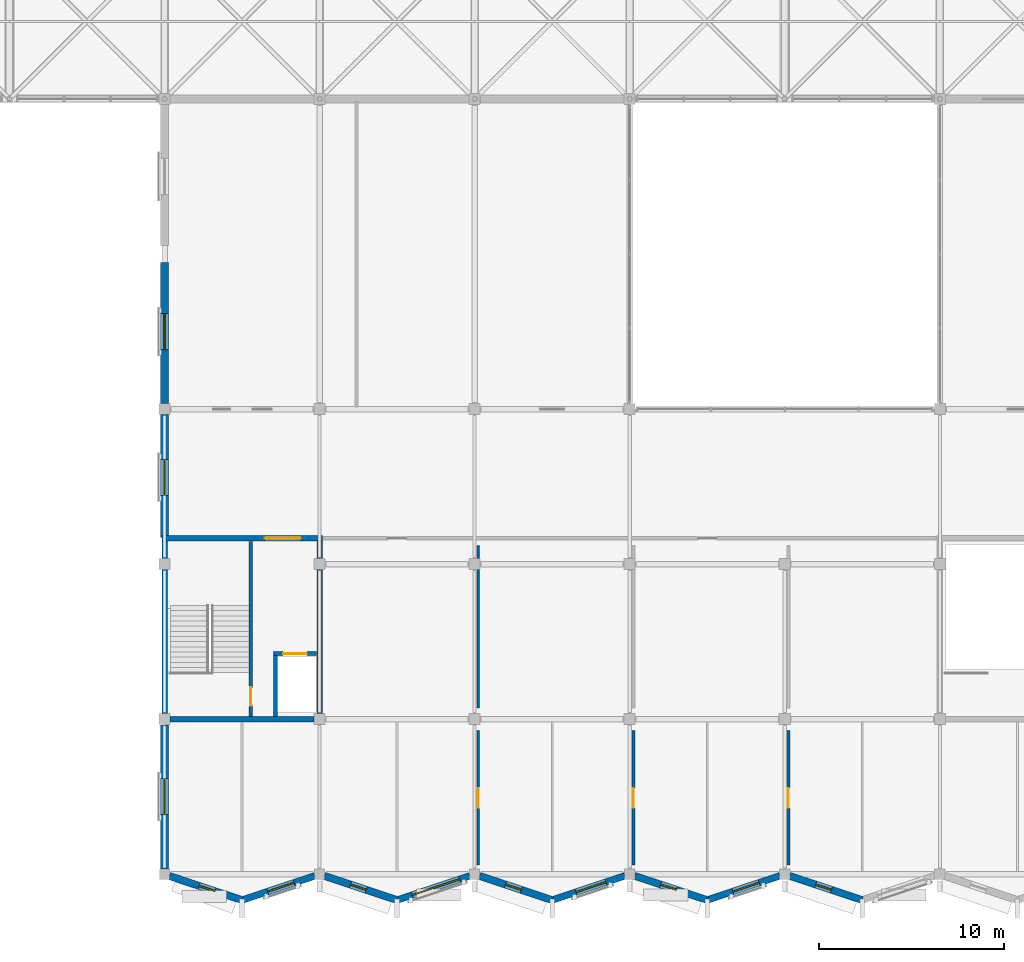
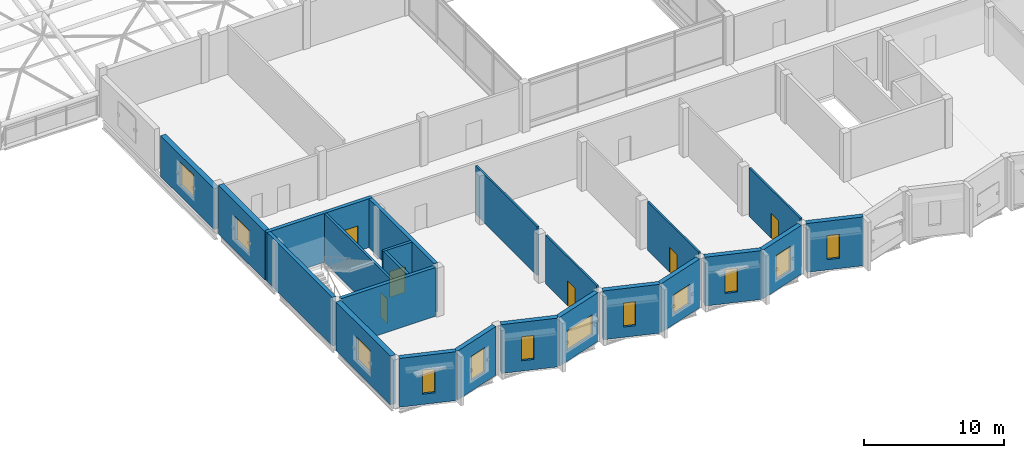
# One storey, part 74 of 81: 23 walls, 12 windows, 6 doors, 18 openings.
"""IFC4 building model written with IfcOpenShell, lengths in metres."""

import ifcopenshell
import ifcopenshell.guid

model = None  # the IFC model being written
_history = None  # IfcOwnerHistory: only IFC2X3 demands one
_inside = {}  # id of a spatial element -> (the spatial element, [elements in it])
_under = {}  # id of a project, library or spatial element -> (it, [spatial elements below it])
_declared = {}  # id of a project -> (the project, [libraries it declares])
_typed = {}  # id of a type object -> (the type object, [elements of that type])
_made_of = {}  # id of a material, layer set ... -> (it, [elements and type objects made of it])


def new_model(schema):
    """Start an empty IFC model of exactly this schema.

    Asked for "IFC4X3", IfcOpenShell would pick the latest addendum, in which some entities
    have other attributes; the version numbers below select the first issue.
    IFC2X3 requires an IfcOwnerHistory on every rooted entity: one is made here for all.
    """
    global model, _history
    if schema == "IFC4X3":
        model = ifcopenshell.file(schema_version=(4, 3, 0, 0))
    else:
        model = ifcopenshell.file(schema=schema)
    _inside.clear()
    _under.clear()
    _declared.clear()
    _typed.clear()
    _made_of.clear()
    _history = None
    if model.schema == "IFC2X3":
        org = make("IfcOrganization", Name="unknown")
        user = make(
            "IfcPersonAndOrganization",
            ThePerson=make("IfcPerson", FamilyName="unknown"),
            TheOrganization=org,
        )
        app = make(
            "IfcApplication",
            ApplicationDeveloper=org,
            Version="unknown",
            ApplicationFullName="unknown",
            ApplicationIdentifier="unknown",
        )
        _history = make(
            "IfcOwnerHistory",
            OwningUser=user,
            OwningApplication=app,
            ChangeAction="ADDED",
            CreationDate=0,
        )
    return model


def make(cls, **values):
    """One entity of the class cls with the attributes given. An attribute that is None is left unset."""
    return model.create_entity(
        cls, **{name: value for name, value in values.items() if value is not None}
    )


def rooted(cls, **values):
    """An entity with a GlobalId (a new one), such as an element, a storey or a relation."""
    return make(cls, GlobalId=ifcopenshell.guid.new(), OwnerHistory=_history, **values)


def si_unit(unit_type, name, prefix=None):
    """IfcSIUnit, for example si_unit("LENGTHUNIT", "METRE", prefix="MILLI")."""
    return make("IfcSIUnit", UnitType=unit_type, Prefix=prefix, Name=name)


def assignment(units):
    """IfcUnitAssignment: the units of a project."""
    return None if units is None else make("IfcUnitAssignment", Units=units)


def point(xyz):
    """IfcCartesianPoint."""
    return None if xyz is None else make("IfcCartesianPoint", Coordinates=xyz)


def direction(xyz):
    """IfcDirection."""
    return None if xyz is None else make("IfcDirection", DirectionRatios=xyz)


def frame(location, z_axis=None, x_axis=None):
    """IfcAxis2Placement3D, a coordinate frame: its origin and axes. An axis left out is left unset."""
    return make(
        "IfcAxis2Placement3D",
        Location=point(location),
        Axis=direction(z_axis),
        RefDirection=direction(x_axis),
    )


def frame_2d(location, x_axis=None):
    """IfcAxis2Placement2D, a coordinate frame in the plane: its origin and x axis."""
    return make(
        "IfcAxis2Placement2D", Location=point(location), RefDirection=direction(x_axis)
    )


def origin():
    """The frame at (0, 0, 0) with its axes left unset."""
    return frame((0.0, 0.0, 0.0))


def place(relative_to, where):
    """IfcLocalPlacement: puts the frame where relative to a parent placement (None: the world)."""
    return make(
        "IfcLocalPlacement", PlacementRelTo=relative_to, RelativePlacement=where
    )


def context(
    kind, dimensions, precision=None, world=None, true_north=None, identifier=None
):
    """IfcGeometricRepresentationContext, for example the 3D "Model" context."""
    return make(
        "IfcGeometricRepresentationContext",
        ContextIdentifier=identifier,
        ContextType=kind,
        CoordinateSpaceDimension=dimensions,
        Precision=precision,
        WorldCoordinateSystem=world,
        TrueNorth=true_north,
    )


def subcontext(parent, identifier, kind, view, scale=None):
    """IfcGeometricRepresentationSubContext, for example "Body" below "Model"."""
    return make(
        "IfcGeometricRepresentationSubContext",
        ContextIdentifier=identifier,
        ContextType=kind,
        ParentContext=parent,
        TargetScale=scale,
        TargetView=view,
    )


def project(units=None, contexts=None):
    """IfcProject with its units and contexts."""
    return rooted(
        "IfcProject",
        Name="project",
        RepresentationContexts=contexts,
        UnitsInContext=assignment(units),
    )


def spatial(cls, under=None, at=None, **own):
    """A site, building, storey or space (cls), placed at a placement, below another one or the project."""
    s = rooted(cls, ObjectPlacement=at, **own)
    if under is not None:
        _under.setdefault(under.id(), (under, []))[1].append(s)
    return s


def profile(cls, at=None, kind="AREA", **sizes):
    """A parametric profile (cls). Its sizes go by their IFC names, for example OverallWidth=200.0."""
    return make(cls, ProfileType=kind, Position=at, **sizes)


def rectangle(**sizes):
    """IfcRectangleProfileDef."""
    return profile("IfcRectangleProfileDef", **sizes)


def extrude(swept, where, along, depth):
    """IfcExtrudedAreaSolid: the profile swept, set in the frame where, extruded along a direction by depth."""
    return make(
        "IfcExtrudedAreaSolid",
        SweptArea=swept,
        Position=where,
        ExtrudedDirection=direction(along),
        Depth=depth,
    )


def shape(context_of_items, identifier, shape_type, items):
    """IfcShapeRepresentation: the items that make up one representation, for example the "Body"."""
    return make(
        "IfcShapeRepresentation",
        ContextOfItems=context_of_items,
        RepresentationIdentifier=identifier,
        RepresentationType=shape_type,
        Items=items,
    )


def material(Name=None, Category=None):
    """IfcMaterial."""
    return make("IfcMaterial", Name=Name, Category=Category)


def layer(
    of_material, thickness, ventilated=None, Name=None, Category=None, Priority=None
):
    """IfcMaterialLayer: one layer of a wall or slab, of a material (None: an air gap)."""
    return make(
        "IfcMaterialLayer",
        Material=of_material,
        LayerThickness=thickness,
        IsVentilated=ventilated,
        Name=Name,
        Category=Category,
        Priority=Priority,
    )


def layer_set(layers, Name=None):
    """IfcMaterialLayerSet."""
    return make("IfcMaterialLayerSet", MaterialLayers=layers, LayerSetName=Name)


def made_of(thing, what):
    """Note that an element or type object is made of a material, layer set ...; save() writes the relation."""
    if what is not None:
        _made_of.setdefault(what.id(), (what, []))[1].append(thing)
    return thing


def type_object(cls, material=None, **own):
    """A type object (cls), such as IfcWallType, which elements share."""
    return made_of(rooted(cls, **own), material)


def element(
    cls,
    number,
    at=None,
    inside=None,
    cuts=None,
    type_object=None,
    material=None,
    context=None,
    identifier="Body",
    shape_type=None,
    held_by="IfcProductDefinitionShape",
    body=None,
    shapes=None,
    **own,
):
    """One element of the class cls, such as IfcWall. Its Tag is "e" and its number.

    at: its placement. inside: the storey or other place that contains it. cuts: it is an
    opening in that element (IfcRelVoidsElement). A single representation is given by context,
    identifier, shape_type and body (its items); several are given by shapes. held_by: the class
    of the entity that holds the representations. save() writes the other relations.
    """
    e = rooted(cls, Tag="e%d" % number, ObjectPlacement=at, **own)
    if body is not None:
        shapes = [shape(context, identifier, shape_type, body)]
    if shapes is not None:
        e.Representation = make(held_by, Representations=shapes)
    if inside is not None:
        _inside.setdefault(inside.id(), (inside, []))[1].append(e)
    if cuts is not None:
        rooted(
            "IfcRelVoidsElement", RelatingBuildingElement=cuts, RelatedOpeningElement=e
        )
    if type_object is not None:
        _typed.setdefault(type_object.id(), (type_object, []))[1].append(e)
    return made_of(e, material)


def fill(opening, filler):
    """IfcRelFillsElement: the door or window that sits in an opening."""
    return rooted(
        "IfcRelFillsElement",
        RelatingOpeningElement=opening,
        RelatedBuildingElement=filler,
    )


def aggregate(whole, parts):
    """IfcRelAggregates: a whole, such as a stair, and the parts it consists of."""
    return rooted("IfcRelAggregates", RelatingObject=whole, RelatedObjects=parts)


def save(model, path):
    """Write the relations noted so far, then the file.

    IfcRelAggregates (storeys below a building ...), IfcRelContainedInSpatialStructure (elements
    in a storey), IfcRelDefinesByType, IfcRelAssociatesMaterial and IfcRelDeclares: one each for
    every whole, place, type object, material and project.
    """
    for whole, parts in _under.values():
        aggregate(whole, parts)
    for where, things in _inside.values():
        rooted(
            "IfcRelContainedInSpatialStructure",
            RelatedElements=things,
            RelatingStructure=where,
        )
    for kind, things in _typed.values():
        rooted("IfcRelDefinesByType", RelatedObjects=things, RelatingType=kind)
    for what, things in _made_of.values():
        rooted("IfcRelAssociatesMaterial", RelatedObjects=things, RelatingMaterial=what)
    for by, libraries in _declared.values():
        rooted("IfcRelDeclares", RelatingContext=by, RelatedDefinitions=libraries)
    model.write(path)


model = new_model("IFC4")

# Units and contexts
model_context = context("Model", 3, precision=1e-05, world=origin(), true_north=direction((0.0, 1.0)))
body_context = subcontext(model_context, "Body", "Model", "MODEL_VIEW")
ifc_project = project(units=[si_unit("LENGTHUNIT", "METRE"), si_unit("AREAUNIT", "SQUARE_METRE"), si_unit("VOLUMEUNIT", "CUBIC_METRE"), si_unit("PLANEANGLEUNIT", "RADIAN"), si_unit("MASSUNIT", "GRAM", prefix="KILO")], contexts=[model_context])

# Site, building, storey
site_placement = place(None, origin())
site = spatial("IfcSite", under=ifc_project, at=site_placement, CompositionType="ELEMENT")
building_placement = place(site_placement, origin())
building = spatial("IfcBuilding", under=site, at=building_placement, Name="Qawsi Khor Wholesale Market", CompositionType="ELEMENT")
storey_placement = place(building_placement, frame((0.0, 0.0, 16.199951171875)))
storey = spatial("IfcBuildingStorey", under=building, at=storey_placement, Name="L03", CompositionType="ELEMENT", Elevation=16.199951171875)

# Walls
ifc_material_1 = material(Name="Concrete C40/50", Category="concrete")
ifc_layer_1 = layer(ifc_material_1, 0.300048828125, Name="Concrete C40/50")
ifc_layer_set_1 = layer_set([ifc_layer_1], Name="Concrete C40/50")
wall_type_1 = type_object("IfcWallType", Name="Core Shear Wall RC 300 C40/50", PredefinedType="SHEAR", material=ifc_layer_set_1)
wall_1_placement = place(storey_placement, frame((33.294921875, 8.39990234375, 0.0), z_axis=(0.0, 0.0, 1.0), x_axis=(-1.0, 0.0, 0.0)))
element("IfcWall", 1, at=wall_1_placement, inside=storey, type_object=wall_type_1, Name="Core C01 south shear wall L03", PredefinedType="SHEAR", context=body_context, shape_type="SweptSolid", body=[
    extrude(rectangle(XDim=7.7900390625, YDim=0.300048828125, at=frame_2d((3.89501953125, 0.0))), origin(), (0.0, 0.0, 1.0), 4.260009765625),
])
wall_2_placement = place(storey_placement, frame((25.199951171875, 8.705078125, 0.0), z_axis=(0.0, 0.0, 1.0), x_axis=(0.0, 1.0, 0.0)))
element("IfcWall", 2, at=wall_2_placement, inside=storey, type_object=wall_type_1, Name="Core C01 west shear wall L03", PredefinedType="SHEAR", context=body_context, shape_type="SweptSolid", body=[
    extrude(rectangle(XDim=9.344970703125, YDim=0.300048828125, at=frame_2d((4.67236328125, 0.0))), origin(), (0.0, 0.0, 1.0), 4.260009765625),
])

# Wall, opening, door
wall_3_placement = place(storey_placement, frame((25.050048828125, 18.199951171875, 0.0), z_axis=(0.0, 0.0, 1.0), x_axis=(1.0, 0.0, 0.0)))
wall_3 = element("IfcWall", 3, at=wall_3_placement, inside=storey, type_object=wall_type_1, Name="Core C01 north shear wall L03", PredefinedType="SHEAR", context=body_context, shape_type="SweptSolid", body=[
    extrude(rectangle(XDim=8.699951171875, YDim=0.300048828125, at=frame_2d((4.35009765625, 0.0))), origin(), (0.0, 0.0, 1.0), 4.260009765625),
])
opening_1_placement = place(wall_3_placement, frame((5.570068359375, 0.0, 0.0)))
opening_1 = element("IfcOpeningElement", 4, at=opening_1_placement, cuts=wall_3, Name="Opening ID-01", PredefinedType="OPENING", context=body_context, shape_type="SweptSolid", body=[
    extrude(rectangle(XDim=1.9599609375, YDim=2.199951171875, at=frame_2d((0.97998046875, 1.10009765625))), frame((0.0, 0.159912109375, 0.0), z_axis=(0.0, -1.0, 0.0), x_axis=(1.0, 0.0, 0.0)), (0.0, 0.0, 1.0), 0.320068359375),
])
ifc_material_2 = material(Name="Steel Fire Door", Category="steel")
door_type_1 = type_object("IfcDoorType", Name="Stair & Core Fire Door 1960x2200 FD90S", OperationType="NOTDEFINED", PredefinedType="DOOR", material=ifc_material_2)
door_1_placement = place(opening_1_placement, origin())
door_1 = element("IfcDoor", 5, at=door_1_placement, inside=storey, type_object=door_type_1, Name="Core C01 fire door L03", OperationType="DOUBLE_DOOR_SINGLE_SWING", OverallHeight=2.199951171875, OverallWidth=1.9599609375, PredefinedType="DOOR", context=body_context, shape_type="SweptSolid", body=[
    extrude(rectangle(XDim=1.9599609375, YDim=2.199951171875, at=frame_2d((0.97998046875, 1.10009765625))), frame((0.0, 0.02490234375, 0.0), z_axis=(0.0, -1.0, 0.0), x_axis=(1.0, 0.0, 0.0)), (0.0, 0.0, 1.0), 0.050048828125),
])
fill(opening_1, door_1)

# Walls
wall_4_placement = place(storey_placement, frame((33.60009765625, 18.050048828125, 0.0), z_axis=(0.0, 0.0, 1.0), x_axis=(0.0, -1.0, 0.0)))
element("IfcWall", 6, at=wall_4_placement, inside=storey, type_object=wall_type_1, Name="Core C01 east shear wall L03", PredefinedType="SHEAR", context=body_context, shape_type="SweptSolid", body=[
    extrude(rectangle(XDim=9.344970703125, YDim=0.300048828125, at=frame_2d((4.67236328125, 0.0))), origin(), (0.0, 0.0, 1.0), 4.260009765625),
])
ifc_layer_2 = layer(ifc_material_1, 0.219970703125, Name="Concrete C40/50")
ifc_layer_set_2 = layer_set([ifc_layer_2], Name="Concrete C40/50")
wall_type_2 = type_object("IfcWallType", Name="Lift & Stair Shaft Wall RC 220", PredefinedType="SOLIDWALL", material=ifc_layer_set_2)
wall_5_placement = place(storey_placement, frame((31.2099609375, 8.56005859375, 0.0), z_axis=(0.0, 0.0, 1.0), x_axis=(0.0, 1.0, 0.0)))
element("IfcWall", 7, at=wall_5_placement, inside=storey, type_object=wall_type_2, Name="Lift FF-01 shaft wall W L03", PredefinedType="SOLIDWALL", context=body_context, shape_type="SweptSolid", body=[
    extrude(rectangle(XDim=3.389892578125, YDim=0.219970703125, at=frame_2d((1.69482421875, 0.0))), origin(), (0.0, 0.0, 1.0), 4.260009765625),
])

# Wall, opening, door
wall_6_placement = place(storey_placement, frame((31.10009765625, 11.949951171875, 0.0), z_axis=(0.0, 0.0, 1.0), x_axis=(1.0, 0.0, 0.0)))
wall_6 = element("IfcWall", 8, at=wall_6_placement, inside=storey, type_object=wall_type_2, Name="Lift FF-01 shaft wall N L03", PredefinedType="SOLIDWALL", context=body_context, shape_type="SweptSolid", body=[
    extrude(rectangle(XDim=2.33984375, YDim=0.219970703125, at=frame_2d((1.169921875, 0.0))), origin(), (0.0, 0.0, 1.0), 4.260009765625),
])
opening_2_placement = place(wall_6_placement, frame((0.530029296875, 0.0, 0.0)))
opening_2 = element("IfcOpeningElement", 9, at=opening_2_placement, cuts=wall_6, Name="Opening LD-FF130", PredefinedType="OPENING", context=body_context, shape_type="SweptSolid", body=[
    extrude(rectangle(XDim=1.280029296875, YDim=2.25, at=frame_2d((0.64013671875, 1.125))), frame((0.0, 0.119873046875, 0.0), z_axis=(0.0, -1.0, 0.0), x_axis=(1.0, 0.0, 0.0)), (0.0, 0.0, 1.0), 0.239990234375),
])
ifc_material_3 = material(Name="Brushed Stainless Steel", Category="steel")
door_type_2 = type_object("IfcDoorType", Name="Firefighting Lift Landing Sliding Door 1280x2250 FD90S", OperationType="NOTDEFINED", PredefinedType="DOOR", material=ifc_material_3)
door_2_placement = place(opening_2_placement, origin())
door_2 = element("IfcDoor", 10, at=door_2_placement, inside=storey, type_object=door_type_2, Name="Lift FF-01 landing door L03", OperationType="SLIDING_TO_RIGHT", OverallHeight=2.25, OverallWidth=1.280029296875, PredefinedType="DOOR", context=body_context, shape_type="SweptSolid", body=[
    extrude(rectangle(XDim=1.280029296875, YDim=2.25, at=frame_2d((0.64013671875, 1.125))), frame((0.0, 0.02490234375, 0.0), z_axis=(0.0, -1.0, 0.0), x_axis=(1.0, 0.0, 0.0)), (0.0, 0.0, 1.0), 0.050048828125),
])
fill(opening_2, door_2)

ifc_material_4 = material(Name="Gypsum Board on Metal Stud", Category="gypsum")
ifc_layer_3 = layer(ifc_material_4, 0.14990234375, Name="Gypsum Board on Metal Stud")
ifc_layer_set_3 = layer_set([ifc_layer_3], Name="Gypsum Board on Metal Stud")
wall_type_3 = type_object("IfcWallType", Name="Office Partition Wall 150", PredefinedType="PARTITIONING", material=ifc_layer_set_3)
wall_7_placement = place(storey_placement, frame((42.199951171875, 0.5, 0.0), z_axis=(0.0, 0.0, 1.0), x_axis=(0.0, 1.0, 0.0)))
wall_7 = element("IfcWall", 11, at=wall_7_placement, inside=storey, type_object=wall_type_3, Name="PW-L03-100", PredefinedType="PARTITIONING", context=body_context, shape_type="SweptSolid", body=[
    extrude(rectangle(XDim=7.300048828125, YDim=0.14990234375, at=frame_2d((3.64990234375, 0.0))), origin(), (0.0, 0.0, 1.0), 4.260009765625),
])
opening_3_placement = place(wall_7_placement, frame((3.10009765625, 0.0, 0.0)))
opening_3 = element("IfcOpeningElement", 12, at=opening_3_placement, cuts=wall_7, Name="Opening ID-07", PredefinedType="OPENING", context=body_context, shape_type="SweptSolid", body=[
    extrude(rectangle(XDim=1.06005859375, YDim=2.179931640625, at=frame_2d((0.530029296875, 1.08984375))), frame((0.0, 0.0849609375, 0.0), z_axis=(0.0, -1.0, 0.0), x_axis=(1.0, 0.0, 0.0)), (0.0, 0.0, 1.0), 0.169921875),
])
ifc_material_5 = material(Name="Hardwood Timber Veneer", Category="wood")
door_type_3 = type_object("IfcDoorType", Name="Clearinghouse Suite Door 1060x2180", OperationType="NOTDEFINED", PredefinedType="DOOR", material=ifc_material_5)
door_3_placement = place(opening_3_placement, origin())
door_3 = element("IfcDoor", 13, at=door_3_placement, inside=storey, type_object=door_type_3, Name="Clearinghouse Suite Door 1060x2180 L03-111", OperationType="SINGLE_SWING_RIGHT", OverallHeight=2.179931640625, OverallWidth=1.06005859375, PredefinedType="DOOR", context=body_context, shape_type="SweptSolid", body=[
    extrude(rectangle(XDim=1.06005859375, YDim=2.179931640625, at=frame_2d((0.530029296875, 1.08984375))), frame((0.0, 0.02490234375, 0.0), z_axis=(0.0, -1.0, 0.0), x_axis=(1.0, 0.0, 0.0)), (0.0, 0.0, 1.0), 0.050048828125),
])
fill(opening_3, door_3)

# Wall
wall_8_placement = place(storey_placement, frame((42.199951171875, 9.0, 0.0), z_axis=(0.0, 0.0, 1.0), x_axis=(0.0, 1.0, 0.0)))
element("IfcWall", 14, at=wall_8_placement, inside=storey, type_object=wall_type_3, Name="PW-L03-101", PredefinedType="PARTITIONING", context=body_context, shape_type="SweptSolid", body=[
    extrude(rectangle(XDim=8.800048828125, YDim=0.14990234375, at=frame_2d((4.39990234375, 0.0))), origin(), (0.0, 0.0, 1.0), 4.260009765625),
])

# Wall, opening, door
wall_9_placement = place(storey_placement, frame((50.60009765625, 0.5, 0.0), z_axis=(0.0, 0.0, 1.0), x_axis=(0.0, 1.0, 0.0)))
wall_9 = element("IfcWall", 15, at=wall_9_placement, inside=storey, type_object=wall_type_3, Name="PW-L03-102", PredefinedType="PARTITIONING", context=body_context, shape_type="SweptSolid", body=[
    extrude(rectangle(XDim=7.300048828125, YDim=0.14990234375, at=frame_2d((3.64990234375, 0.0))), origin(), (0.0, 0.0, 1.0), 4.260009765625),
])
opening_4_placement = place(wall_9_placement, frame((3.10009765625, 0.0, 0.0)))
opening_4 = element("IfcOpeningElement", 16, at=opening_4_placement, cuts=wall_9, Name="Opening ID-07", PredefinedType="OPENING", context=body_context, shape_type="SweptSolid", body=[
    extrude(rectangle(XDim=1.06005859375, YDim=2.179931640625, at=frame_2d((0.530029296875, 1.08984375))), frame((0.0, 0.0849609375, 0.0), z_axis=(0.0, -1.0, 0.0), x_axis=(1.0, 0.0, 0.0)), (0.0, 0.0, 1.0), 0.169921875),
])
door_4_placement = place(opening_4_placement, origin())
door_4 = element("IfcDoor", 17, at=door_4_placement, inside=storey, type_object=door_type_3, Name="Clearinghouse Suite Door 1060x2180 L03-112", OperationType="SINGLE_SWING_LEFT", OverallHeight=2.179931640625, OverallWidth=1.06005859375, PredefinedType="DOOR", context=body_context, shape_type="SweptSolid", body=[
    extrude(rectangle(XDim=1.06005859375, YDim=2.179931640625, at=frame_2d((0.530029296875, 1.08984375))), frame((0.0, 0.02490234375, 0.0), z_axis=(0.0, -1.0, 0.0), x_axis=(1.0, 0.0, 0.0)), (0.0, 0.0, 1.0), 0.050048828125),
])
fill(opening_4, door_4)

wall_10_placement = place(storey_placement, frame((59.0, 0.5, 0.0), z_axis=(0.0, 0.0, 1.0), x_axis=(0.0, 1.0, 0.0)))
wall_10 = element("IfcWall", 18, at=wall_10_placement, inside=storey, type_object=wall_type_3, Name="PW-L03-104", PredefinedType="PARTITIONING", context=body_context, shape_type="SweptSolid", body=[
    extrude(rectangle(XDim=7.300048828125, YDim=0.14990234375, at=frame_2d((3.64990234375, 0.0))), origin(), (0.0, 0.0, 1.0), 4.260009765625),
])
opening_5_placement = place(wall_10_placement, frame((3.10009765625, 0.0, 0.0)))
opening_5 = element("IfcOpeningElement", 19, at=opening_5_placement, cuts=wall_10, Name="Opening ID-07", PredefinedType="OPENING", context=body_context, shape_type="SweptSolid", body=[
    extrude(rectangle(XDim=1.06005859375, YDim=2.179931640625, at=frame_2d((0.530029296875, 1.08984375))), frame((0.0, 0.0849609375, 0.0), z_axis=(0.0, -1.0, 0.0), x_axis=(1.0, 0.0, 0.0)), (0.0, 0.0, 1.0), 0.169921875),
])
door_5_placement = place(opening_5_placement, origin())
door_5 = element("IfcDoor", 20, at=door_5_placement, inside=storey, type_object=door_type_3, Name="Clearinghouse Suite Door 1060x2180 L03-113", OperationType="SINGLE_SWING_RIGHT", OverallHeight=2.179931640625, OverallWidth=1.06005859375, PredefinedType="DOOR", context=body_context, shape_type="SweptSolid", body=[
    extrude(rectangle(XDim=1.06005859375, YDim=2.179931640625, at=frame_2d((0.530029296875, 1.08984375))), frame((0.0, 0.02490234375, 0.0), z_axis=(0.0, -1.0, 0.0), x_axis=(1.0, 0.0, 0.0)), (0.0, 0.0, 1.0), 0.050048828125),
])
fill(opening_5, door_5)

# Wall, opening, window
ifc_layer_4 = layer(ifc_material_1, 0.429931640625, Name="Concrete C40/50")
ifc_layer_set_4 = layer_set([ifc_layer_4], Name="Concrete C40/50")
wall_type_4 = type_object("IfcWallType", Name="Sculpted Ribbed Concrete Facade Wall 430", PredefinedType="SOLIDWALL", material=ifc_layer_set_4)
wall_11_placement = place(storey_placement, frame((25.199951171875, 0.280029296875, 0.0), z_axis=(0.0, 0.0, 1.0), x_axis=(0.0, 1.0, 0.0)))
wall_11 = element("IfcWall", 21, at=wall_11_placement, inside=storey, type_object=wall_type_4, Name="EW-L03-SWW-0", PredefinedType="SOLIDWALL", context=body_context, shape_type="SweptSolid", body=[
    extrude(rectangle(XDim=7.81494140625, YDim=0.429931640625, at=frame_2d((3.907470703125, 0.0))), origin(), (0.0, 0.0, 1.0), 4.260009765625),
])
opening_6_placement = place(wall_11_placement, frame((2.945068359375, 0.0, 0.949951171875)))
opening_6 = element("IfcOpeningElement", 22, at=opening_6_placement, cuts=wall_11, Name="Opening W-20", PredefinedType="OPENING", context=body_context, shape_type="SweptSolid", body=[
    extrude(rectangle(XDim=1.949951171875, YDim=2.050048828125, at=frame_2d((0.97509765625, 1.02490234375))), frame((0.0, 0.224853515625, 0.0), z_axis=(0.0, -1.0, 0.0), x_axis=(1.0, 0.0, 0.0)), (0.0, 0.0, 1.0), 0.449951171875),
])
ifc_material_6 = material(Name="Thermally Broken Aluminium & Low-E Glass", Category="aluminium")
window_type_1 = type_object("IfcWindowType", Name="Win W-20 Governance Corner 1950x2050", PartitioningType="SINGLE_PANEL", PredefinedType="WINDOW", material=ifc_material_6)
window_1_placement = place(opening_6_placement, origin())
window_1 = element("IfcWindow", 23, at=window_1_placement, inside=storey, type_object=window_type_1, Name="Win W-20 Governance Corner 1950x2050 127", OverallHeight=2.050048828125, OverallWidth=1.949951171875, PartitioningType="SINGLE_PANEL", PredefinedType="WINDOW", context=body_context, shape_type="SweptSolid", body=[
    extrude(rectangle(XDim=1.949951171875, YDim=2.050048828125, at=frame_2d((0.97509765625, 1.02490234375))), frame((0.0, 0.030029296875, 0.0), z_axis=(0.0, -1.0, 0.0), x_axis=(1.0, 0.0, 0.0)), (0.0, 0.0, 1.0), 0.06005859375),
])
fill(opening_6, window_1)

wall_12_placement = place(storey_placement, frame((25.199951171875, 18.25, 0.0), z_axis=(0.0, 0.0, 1.0), x_axis=(0.0, 1.0, 0.0)))
wall_12 = element("IfcWall", 24, at=wall_12_placement, inside=storey, type_object=wall_type_4, Name="EW-L03-SWW-2", PredefinedType="SOLIDWALL", context=body_context, shape_type="SweptSolid", body=[
    extrude(rectangle(XDim=6.64501953125, YDim=0.429931640625, at=frame_2d((3.322509765625, 0.0))), origin(), (0.0, 0.0, 1.0), 4.260009765625),
])
opening_7_placement = place(wall_12_placement, frame((2.27490234375, 0.0, 0.949951171875)))
opening_7 = element("IfcOpeningElement", 25, at=opening_7_placement, cuts=wall_12, Name="Opening W-20", PredefinedType="OPENING", context=body_context, shape_type="SweptSolid", body=[
    extrude(rectangle(XDim=1.949951171875, YDim=2.050048828125, at=frame_2d((0.97509765625, 1.02490234375))), frame((0.0, 0.224853515625, 0.0), z_axis=(0.0, -1.0, 0.0), x_axis=(1.0, 0.0, 0.0)), (0.0, 0.0, 1.0), 0.449951171875),
])
window_2_placement = place(opening_7_placement, origin())
window_2 = element("IfcWindow", 26, at=window_2_placement, inside=storey, type_object=window_type_1, Name="Win W-20 Governance Corner 1950x2050 128", OverallHeight=2.050048828125, OverallWidth=1.949951171875, PartitioningType="SINGLE_PANEL", PredefinedType="WINDOW", context=body_context, shape_type="SweptSolid", body=[
    extrude(rectangle(XDim=1.949951171875, YDim=2.050048828125, at=frame_2d((0.97509765625, 1.02490234375))), frame((0.0, 0.030029296875, 0.0), z_axis=(0.0, -1.0, 0.0), x_axis=(1.0, 0.0, 0.0)), (0.0, 0.0, 1.0), 0.06005859375),
])
fill(opening_7, window_2)

wall_13_placement = place(storey_placement, frame((25.199951171875, 25.5048828125, 0.0), z_axis=(0.0, 0.0, 1.0), x_axis=(0.0, 1.0, 0.0)))
wall_13 = element("IfcWall", 27, at=wall_13_placement, inside=storey, type_object=wall_type_4, Name="EW-L03-SWW-3", PredefinedType="SOLIDWALL", context=body_context, shape_type="SweptSolid", body=[
    extrude(rectangle(XDim=7.64501953125, YDim=0.429931640625, at=frame_2d((3.822509765625, 0.0))), origin(), (0.0, 0.0, 1.0), 3.570068359375),
])
opening_8_placement = place(wall_13_placement, frame((2.919921875, 0.0, 0.949951171875)))
opening_8 = element("IfcOpeningElement", 28, at=opening_8_placement, cuts=wall_13, Name="Opening W-20", PredefinedType="OPENING", context=body_context, shape_type="SweptSolid", body=[
    extrude(rectangle(XDim=1.949951171875, YDim=2.050048828125, at=frame_2d((0.97509765625, 1.02490234375))), frame((0.0, 0.224853515625, 0.0), z_axis=(0.0, -1.0, 0.0), x_axis=(1.0, 0.0, 0.0)), (0.0, 0.0, 1.0), 0.449951171875),
])
window_3_placement = place(opening_8_placement, origin())
window_3 = element("IfcWindow", 29, at=window_3_placement, inside=storey, type_object=window_type_1, Name="Win W-20 Governance Corner 1950x2050 129", OverallHeight=2.050048828125, OverallWidth=1.949951171875, PartitioningType="SINGLE_PANEL", PredefinedType="WINDOW", context=body_context, shape_type="SweptSolid", body=[
    extrude(rectangle(XDim=1.949951171875, YDim=2.050048828125, at=frame_2d((0.97509765625, 1.02490234375))), frame((0.0, 0.030029296875, 0.0), z_axis=(0.0, -1.0, 0.0), x_axis=(1.0, 0.0, 0.0)), (0.0, 0.0, 1.0), 0.06005859375),
])
fill(opening_8, window_3)

# Wall, opening, door
ifc_layer_5 = layer(ifc_material_1, 0.18994140625, Name="Concrete C40/50")
ifc_layer_set_5 = layer_set([ifc_layer_5], Name="Concrete C40/50")
wall_type_5 = type_object("IfcWallType", Name="Stairwell Enclosure Wall RC 190", PredefinedType="SOLIDWALL", material=ifc_layer_set_5)
wall_14_placement = place(storey_placement, frame((29.8798828125, 8.56005859375, 0.0), z_axis=(0.0, 0.0, 1.0), x_axis=(0.0, 1.0, 0.0)))
wall_14 = element("IfcWall", 30, at=wall_14_placement, inside=storey, type_object=wall_type_5, Name="Core C01 stairwell enclosure wall L03", PredefinedType="SOLIDWALL", context=body_context, shape_type="SweptSolid", body=[
    extrude(rectangle(XDim=9.47998046875, YDim=0.18994140625, at=frame_2d((4.739990234375, 0.0))), origin(), (0.0, 0.0, 1.0), 4.260009765625),
])
opening_9_placement = place(wall_14_placement, frame((0.580078125, 0.0, 0.0)))
opening_9 = element("IfcOpeningElement", 31, at=opening_9_placement, cuts=wall_14, Name="Opening ID-17", PredefinedType="OPENING", context=body_context, shape_type="SweptSolid", body=[
    extrude(rectangle(XDim=0.97998046875, YDim=2.14990234375, at=frame_2d((0.489990234375, 1.074951171875))), frame((0.0, 0.10498046875, 0.0), z_axis=(0.0, -1.0, 0.0), x_axis=(1.0, 0.0, 0.0)), (0.0, 0.0, 1.0), 0.2099609375),
])
door_type_4 = type_object("IfcDoorType", Name="Core Stair Lobby Fire Door 980x2150 FD120S", OperationType="NOTDEFINED", PredefinedType="DOOR", material=ifc_material_2)
door_6_placement = place(opening_9_placement, origin())
door_6 = element("IfcDoor", 32, at=door_6_placement, inside=storey, type_object=door_type_4, Name="Core C01 stair enclosure fire door L03", OperationType="SINGLE_SWING_LEFT", OverallHeight=2.14990234375, OverallWidth=0.97998046875, PredefinedType="DOOR", context=body_context, shape_type="SweptSolid", body=[
    extrude(rectangle(XDim=0.97998046875, YDim=2.14990234375, at=frame_2d((0.489990234375, 1.074951171875))), frame((0.0, 0.02490234375, 0.0), z_axis=(0.0, -1.0, 0.0), x_axis=(1.0, 0.0, 0.0)), (0.0, 0.0, 1.0), 0.050048828125),
])
fill(opening_9, door_6)

# Wall, opening, window
ifc_layer_6 = layer(ifc_material_1, 0.3701171875, Name="Concrete C40/50")
ifc_layer_set_6 = layer_set([ifc_layer_6], Name="Concrete C40/50")
wall_type_6 = type_object("IfcWallType", Name="Turned-Bay Concrete Facade Wall 370", PredefinedType="SOLIDWALL", material=ifc_layer_set_6)
wall_15_placement = place(storey_placement, frame((33.33447265625, -0.08837890625, 0.0), z_axis=(0.0, 0.0, 1.0), x_axis=(-0.948683298051, -0.316227766017, 0.0)))
wall_15 = element("IfcWall", 33, at=wall_15_placement, inside=storey, type_object=wall_type_6, Name="EW-L03-SBAY-02", PredefinedType="SOLIDWALL", context=body_context, shape_type="SweptSolid", body=[
    extrude(rectangle(XDim=4.1474609375, YDim=0.3701171875, at=frame_2d((2.07373046875, 0.0))), origin(), (0.0, 0.0, 1.0), 4.260009765625),
])
opening_10_placement = place(wall_15_placement, frame((1.18310546875, 0.0, 0.89990234375)))
opening_10 = element("IfcOpeningElement", 34, at=opening_10_placement, cuts=wall_15, Name="Opening W-04", PredefinedType="OPENING", context=body_context, shape_type="SweptSolid", body=[
    extrude(rectangle(XDim=1.5, YDim=2.14990234375, at=frame_2d((0.75, 1.074951171875))), frame((0.0, 0.195068359375, 0.0), z_axis=(0.0, -1.0, 0.0), x_axis=(1.0, 0.0, 0.0)), (0.0, 0.0, 1.0), 0.39013671875),
])
window_type_2 = type_object("IfcWindowType", Name="Win W-04 Turned-Bay Wide 1500x2150", PartitioningType="SINGLE_PANEL", PredefinedType="WINDOW", material=ifc_material_6)
window_4_placement = place(opening_10_placement, origin())
window_4 = element("IfcWindow", 35, at=window_4_placement, inside=storey, type_object=window_type_2, Name="Win W-04 Turned-Bay Wide 1500x2150 082", OverallHeight=2.14990234375, OverallWidth=1.5, PartitioningType="SINGLE_PANEL", PredefinedType="WINDOW", context=body_context, shape_type="SweptSolid", body=[
    extrude(rectangle(XDim=1.5, YDim=2.14990234375, at=frame_2d((0.75, 1.074951171875))), frame((0.0, 0.030029296875, 0.0), z_axis=(0.0, -1.0, 0.0), x_axis=(1.0, 0.0, 0.0)), (0.0, 0.0, 1.0), 0.06005859375),
])
fill(opening_10, window_4)

wall_16_placement = place(storey_placement, frame((41.734375, -0.08837890625, 0.0), z_axis=(0.0, 0.0, 1.0), x_axis=(-0.948677410965, -0.316245426727, 0.0)))
wall_16 = element("IfcWall", 36, at=wall_16_placement, inside=storey, type_object=wall_type_6, Name="EW-L03-SBAY-04", PredefinedType="SOLIDWALL", context=body_context, shape_type="SweptSolid", body=[
    extrude(rectangle(XDim=4.147216796875, YDim=0.3701171875, at=frame_2d((2.07373046875, 0.0))), origin(), (0.0, 0.0, 1.0), 4.260009765625),
])
opening_11_placement = place(wall_16_placement, frame((0.5830078125, 0.0, 0.89990234375)))
opening_11 = element("IfcOpeningElement", 37, at=opening_11_placement, cuts=wall_16, Name="Opening W-09", PredefinedType="OPENING", context=body_context, shape_type="SweptSolid", body=[
    extrude(rectangle(XDim=2.699951171875, YDim=1.75, at=frame_2d((1.35009765625, 0.875))), frame((0.0, 0.195068359375, 0.0), z_axis=(0.0, -1.0, 0.0), x_axis=(1.0, 0.0, 0.0)), (0.0, 0.0, 1.0), 0.39013671875),
])
window_type_3 = type_object("IfcWindowType", Name="Win W-09 Clearinghouse Wide 2700x1750", PartitioningType="SINGLE_PANEL", PredefinedType="WINDOW", material=ifc_material_6)
window_5_placement = place(opening_11_placement, origin())
window_5 = element("IfcWindow", 38, at=window_5_placement, inside=storey, type_object=window_type_3, Name="Win W-09 Clearinghouse Wide 2700x1750 084", OverallHeight=1.75, OverallWidth=2.699951171875, PartitioningType="SINGLE_PANEL", PredefinedType="WINDOW", context=body_context, shape_type="SweptSolid", body=[
    extrude(rectangle(XDim=2.699951171875, YDim=1.75, at=frame_2d((1.35009765625, 0.875))), frame((0.0, 0.030029296875, 0.0), z_axis=(0.0, -1.0, 0.0), x_axis=(1.0, 0.0, 0.0)), (0.0, 0.0, 1.0), 0.06005859375),
])
fill(opening_11, window_5)

wall_17_placement = place(storey_placement, frame((50.134521484375, -0.08837890625, 0.0), z_axis=(0.0, 0.0, 1.0), x_axis=(-0.948683298051, -0.316227766017, 0.0)))
wall_17 = element("IfcWall", 39, at=wall_17_placement, inside=storey, type_object=wall_type_6, Name="EW-L03-SBAY-06", PredefinedType="SOLIDWALL", context=body_context, shape_type="SweptSolid", body=[
    extrude(rectangle(XDim=4.1474609375, YDim=0.3701171875, at=frame_2d((2.07373046875, 0.0))), origin(), (0.0, 0.0, 1.0), 4.260009765625),
])
opening_12_placement = place(wall_17_placement, frame((1.072998046875, 0.0, 0.89990234375)))
opening_12 = element("IfcOpeningElement", 40, at=opening_12_placement, cuts=wall_17, Name="Opening W-23", PredefinedType="OPENING", context=body_context, shape_type="SweptSolid", body=[
    extrude(rectangle(XDim=1.719970703125, YDim=1.699951171875, at=frame_2d((0.85986328125, 0.85009765625))), frame((0.0, 0.195068359375, 0.0), z_axis=(0.0, -1.0, 0.0), x_axis=(1.0, 0.0, 0.0)), (0.0, 0.0, 1.0), 0.39013671875),
])
window_type_4 = type_object("IfcWindowType", Name="Win W-23 East Office Punched 1720x1700", PartitioningType="SINGLE_PANEL", PredefinedType="WINDOW", material=ifc_material_6)
window_6_placement = place(opening_12_placement, origin())
window_6 = element("IfcWindow", 41, at=window_6_placement, inside=storey, type_object=window_type_4, Name="Win W-23 East Office Punched 1720x1700 086", OverallHeight=1.699951171875, OverallWidth=1.719970703125, PartitioningType="SINGLE_PANEL", PredefinedType="WINDOW", context=body_context, shape_type="SweptSolid", body=[
    extrude(rectangle(XDim=1.719970703125, YDim=1.699951171875, at=frame_2d((0.85986328125, 0.85009765625))), frame((0.0, 0.030029296875, 0.0), z_axis=(0.0, -1.0, 0.0), x_axis=(1.0, 0.0, 0.0)), (0.0, 0.0, 1.0), 0.06005859375),
])
fill(opening_12, window_6)

wall_18_placement = place(storey_placement, frame((58.534423828125, -0.08837890625, 0.0), z_axis=(0.0, 0.0, 1.0), x_axis=(-0.948677410965, -0.316245426727, 0.0)))
wall_18 = element("IfcWall", 42, at=wall_18_placement, inside=storey, type_object=wall_type_6, Name="EW-L03-SBAY-08", PredefinedType="SOLIDWALL", context=body_context, shape_type="SweptSolid", body=[
    extrude(rectangle(XDim=4.147216796875, YDim=0.3701171875, at=frame_2d((2.07373046875, 0.0))), origin(), (0.0, 0.0, 1.0), 4.260009765625),
])
opening_13_placement = place(wall_18_placement, frame((1.18310546875, 0.0, 0.89990234375)))
opening_13 = element("IfcOpeningElement", 43, at=opening_13_placement, cuts=wall_18, Name="Opening W-04", PredefinedType="OPENING", context=body_context, shape_type="SweptSolid", body=[
    extrude(rectangle(XDim=1.5, YDim=2.14990234375, at=frame_2d((0.75, 1.074951171875))), frame((0.0, 0.195068359375, 0.0), z_axis=(0.0, -1.0, 0.0), x_axis=(1.0, 0.0, 0.0)), (0.0, 0.0, 1.0), 0.39013671875),
])
window_7_placement = place(opening_13_placement, origin())
window_7 = element("IfcWindow", 44, at=window_7_placement, inside=storey, type_object=window_type_2, Name="Win W-04 Turned-Bay Wide 1500x2150 088", OverallHeight=2.14990234375, OverallWidth=1.5, PartitioningType="SINGLE_PANEL", PredefinedType="WINDOW", context=body_context, shape_type="SweptSolid", body=[
    extrude(rectangle(XDim=1.5, YDim=2.14990234375, at=frame_2d((0.75, 1.074951171875))), frame((0.0, 0.030029296875, 0.0), z_axis=(0.0, -1.0, 0.0), x_axis=(1.0, 0.0, 0.0)), (0.0, 0.0, 1.0), 0.06005859375),
])
fill(opening_13, window_7)

ifc_layer_7 = layer(ifc_material_1, 0.389892578125, Name="Concrete C40/50")
ifc_layer_set_7 = layer_set([ifc_layer_7], Name="Concrete C40/50")
wall_type_7 = type_object("IfcWallType", Name="Turned-Bay Concrete Facade Wall 390", PredefinedType="SOLIDWALL", material=ifc_layer_set_7)
wall_19_placement = place(storey_placement, frame((29.39990234375, -1.39990234375, 0.0), z_axis=(0.0, 0.0, 1.0), x_axis=(-0.949439973189, 0.313948622087, 0.0)))
wall_19 = element("IfcWall", 45, at=wall_19_placement, inside=storey, type_object=wall_type_7, Name="EW-L03-SBAY-01", PredefinedType="SOLIDWALL", context=body_context, shape_type="SweptSolid", body=[
    extrude(rectangle(XDim=4.147216796875, YDim=0.389892578125, at=frame_2d((2.07373046875, 0.0))), origin(), (0.0, 0.0, 1.0), 4.260009765625),
])
opening_14_placement = place(wall_19_placement, frame((1.553955078125, 0.0, 0.89990234375)))
opening_14 = element("IfcOpeningElement", 46, at=opening_14_placement, cuts=wall_19, Name="Opening W-02", PredefinedType="OPENING", context=body_context, shape_type="SweptSolid", body=[
    extrude(rectangle(XDim=0.89990234375, YDim=2.10009765625, at=frame_2d((0.449951171875, 1.050048828125))), frame((0.0, 0.204833984375, 0.0), z_axis=(0.0, -1.0, 0.0), x_axis=(1.0, 0.0, 0.0)), (0.0, 0.0, 1.0), 0.409912109375),
])
window_type_5 = type_object("IfcWindowType", Name="Win W-02 Deep-Set Narrow 900x2100", PartitioningType="SINGLE_PANEL", PredefinedType="WINDOW", material=ifc_material_6)
window_8_placement = place(opening_14_placement, origin())
window_8 = element("IfcWindow", 47, at=window_8_placement, inside=storey, type_object=window_type_5, Name="Win W-02 Deep-Set Narrow 900x2100 081", OverallHeight=2.10009765625, OverallWidth=0.89990234375, PartitioningType="SINGLE_PANEL", PredefinedType="WINDOW", context=body_context, shape_type="SweptSolid", body=[
    extrude(rectangle(XDim=0.89990234375, YDim=2.10009765625, at=frame_2d((0.449951171875, 1.050048828125))), frame((0.0, 0.030029296875, 0.0), z_axis=(0.0, -1.0, 0.0), x_axis=(1.0, 0.0, 0.0)), (0.0, 0.0, 1.0), 0.06005859375),
])
fill(opening_14, window_8)

wall_20_placement = place(storey_placement, frame((37.800048828125, -1.39990234375, 0.0), z_axis=(0.0, 0.0, 1.0), x_axis=(-0.948683298051, 0.316227766017, 0.0)))
wall_20 = element("IfcWall", 48, at=wall_20_placement, inside=storey, type_object=wall_type_7, Name="EW-L03-SBAY-03", PredefinedType="SOLIDWALL", context=body_context, shape_type="SweptSolid", body=[
    extrude(rectangle(XDim=4.1474609375, YDim=0.389892578125, at=frame_2d((2.07373046875, 0.0))), origin(), (0.0, 0.0, 1.0), 4.260009765625),
])
opening_15_placement = place(wall_20_placement, frame((1.762939453125, 0.0, 0.89990234375)))
opening_15 = element("IfcOpeningElement", 49, at=opening_15_placement, cuts=wall_20, Name="Opening W-02", PredefinedType="OPENING", context=body_context, shape_type="SweptSolid", body=[
    extrude(rectangle(XDim=0.89990234375, YDim=2.10009765625, at=frame_2d((0.449951171875, 1.050048828125))), frame((0.0, 0.204833984375, 0.0), z_axis=(0.0, -1.0, 0.0), x_axis=(1.0, 0.0, 0.0)), (0.0, 0.0, 1.0), 0.409912109375),
])
window_9_placement = place(opening_15_placement, origin())
window_9 = element("IfcWindow", 50, at=window_9_placement, inside=storey, type_object=window_type_5, Name="Win W-02 Deep-Set Narrow 900x2100 083", OverallHeight=2.10009765625, OverallWidth=0.89990234375, PartitioningType="SINGLE_PANEL", PredefinedType="WINDOW", context=body_context, shape_type="SweptSolid", body=[
    extrude(rectangle(XDim=0.89990234375, YDim=2.10009765625, at=frame_2d((0.449951171875, 1.050048828125))), frame((0.0, 0.030029296875, 0.0), z_axis=(0.0, -1.0, 0.0), x_axis=(1.0, 0.0, 0.0)), (0.0, 0.0, 1.0), 0.06005859375),
])
fill(opening_15, window_9)

wall_21_placement = place(storey_placement, frame((46.199951171875, -1.39990234375, 0.0), z_axis=(0.0, 0.0, 1.0), x_axis=(-0.948677410965, 0.316245426727, 0.0)))
wall_21 = element("IfcWall", 51, at=wall_21_placement, inside=storey, type_object=wall_type_7, Name="EW-L03-SBAY-05", PredefinedType="SOLIDWALL", context=body_context, shape_type="SweptSolid", body=[
    extrude(rectangle(XDim=4.147216796875, YDim=0.389892578125, at=frame_2d((2.07373046875, 0.0))), origin(), (0.0, 0.0, 1.0), 4.260009765625),
])
opening_16_placement = place(wall_21_placement, frame((1.762939453125, 0.0, 0.89990234375)))
opening_16 = element("IfcOpeningElement", 52, at=opening_16_placement, cuts=wall_21, Name="Opening W-02", PredefinedType="OPENING", context=body_context, shape_type="SweptSolid", body=[
    extrude(rectangle(XDim=0.89990234375, YDim=2.10009765625, at=frame_2d((0.449951171875, 1.050048828125))), frame((0.0, 0.204833984375, 0.0), z_axis=(0.0, -1.0, 0.0), x_axis=(1.0, 0.0, 0.0)), (0.0, 0.0, 1.0), 0.409912109375),
])
window_10_placement = place(opening_16_placement, origin())
window_10 = element("IfcWindow", 53, at=window_10_placement, inside=storey, type_object=window_type_5, Name="Win W-02 Deep-Set Narrow 900x2100 085", OverallHeight=2.10009765625, OverallWidth=0.89990234375, PartitioningType="SINGLE_PANEL", PredefinedType="WINDOW", context=body_context, shape_type="SweptSolid", body=[
    extrude(rectangle(XDim=0.89990234375, YDim=2.10009765625, at=frame_2d((0.449951171875, 1.050048828125))), frame((0.0, 0.030029296875, 0.0), z_axis=(0.0, -1.0, 0.0), x_axis=(1.0, 0.0, 0.0)), (0.0, 0.0, 1.0), 0.06005859375),
])
fill(opening_16, window_10)

wall_22_placement = place(storey_placement, frame((54.60009765625, -1.39990234375, 0.0), z_axis=(0.0, 0.0, 1.0), x_axis=(-0.948683298051, 0.316227766017, 0.0)))
wall_22 = element("IfcWall", 54, at=wall_22_placement, inside=storey, type_object=wall_type_7, Name="EW-L03-SBAY-07", PredefinedType="SOLIDWALL", context=body_context, shape_type="SweptSolid", body=[
    extrude(rectangle(XDim=4.1474609375, YDim=0.389892578125, at=frame_2d((2.07373046875, 0.0))), origin(), (0.0, 0.0, 1.0), 4.260009765625),
])
opening_17_placement = place(wall_22_placement, frame((1.762939453125, 0.0, 0.89990234375)))
opening_17 = element("IfcOpeningElement", 55, at=opening_17_placement, cuts=wall_22, Name="Opening W-02", PredefinedType="OPENING", context=body_context, shape_type="SweptSolid", body=[
    extrude(rectangle(XDim=0.89990234375, YDim=2.10009765625, at=frame_2d((0.449951171875, 1.050048828125))), frame((0.0, 0.204833984375, 0.0), z_axis=(0.0, -1.0, 0.0), x_axis=(1.0, 0.0, 0.0)), (0.0, 0.0, 1.0), 0.409912109375),
])
window_11_placement = place(opening_17_placement, origin())
window_11 = element("IfcWindow", 56, at=window_11_placement, inside=storey, type_object=window_type_5, Name="Win W-02 Deep-Set Narrow 900x2100 087", OverallHeight=2.10009765625, OverallWidth=0.89990234375, PartitioningType="SINGLE_PANEL", PredefinedType="WINDOW", context=body_context, shape_type="SweptSolid", body=[
    extrude(rectangle(XDim=0.89990234375, YDim=2.10009765625, at=frame_2d((0.449951171875, 1.050048828125))), frame((0.0, 0.030029296875, 0.0), z_axis=(0.0, -1.0, 0.0), x_axis=(1.0, 0.0, 0.0)), (0.0, 0.0, 1.0), 0.06005859375),
])
fill(opening_17, window_11)

wall_23_placement = place(storey_placement, frame((63.0, -1.39990234375, 0.0), z_axis=(0.0, 0.0, 1.0), x_axis=(-0.948677410965, 0.316245426727, 0.0)))
wall_23 = element("IfcWall", 57, at=wall_23_placement, inside=storey, type_object=wall_type_7, Name="EW-L03-SBAY-09", PredefinedType="SOLIDWALL", context=body_context, shape_type="SweptSolid", body=[
    extrude(rectangle(XDim=4.147216796875, YDim=0.389892578125, at=frame_2d((2.07373046875, 0.0))), origin(), (0.0, 0.0, 1.0), 4.260009765625),
])
opening_18_placement = place(wall_23_placement, frame((1.762939453125, 0.0, 0.89990234375)))
opening_18 = element("IfcOpeningElement", 58, at=opening_18_placement, cuts=wall_23, Name="Opening W-02", PredefinedType="OPENING", context=body_context, shape_type="SweptSolid", body=[
    extrude(rectangle(XDim=0.89990234375, YDim=2.10009765625, at=frame_2d((0.449951171875, 1.050048828125))), frame((0.0, 0.204833984375, 0.0), z_axis=(0.0, -1.0, 0.0), x_axis=(1.0, 0.0, 0.0)), (0.0, 0.0, 1.0), 0.409912109375),
])
window_12_placement = place(opening_18_placement, origin())
window_12 = element("IfcWindow", 59, at=window_12_placement, inside=storey, type_object=window_type_5, Name="Win W-02 Deep-Set Narrow 900x2100 089", OverallHeight=2.10009765625, OverallWidth=0.89990234375, PartitioningType="SINGLE_PANEL", PredefinedType="WINDOW", context=body_context, shape_type="SweptSolid", body=[
    extrude(rectangle(XDim=0.89990234375, YDim=2.10009765625, at=frame_2d((0.449951171875, 1.050048828125))), frame((0.0, 0.030029296875, 0.0), z_axis=(0.0, -1.0, 0.0), x_axis=(1.0, 0.0, 0.0)), (0.0, 0.0, 1.0), 0.06005859375),
])
fill(opening_18, window_12)

save(model, "model.ifc")
